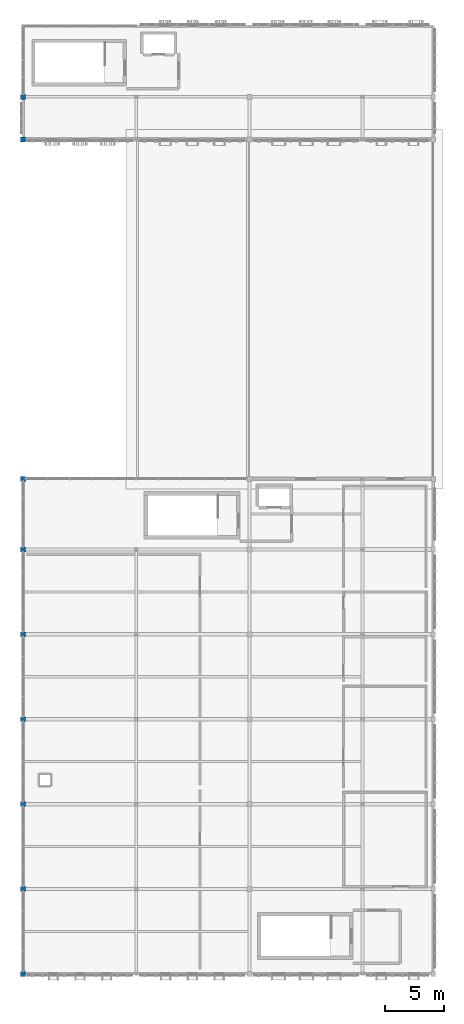
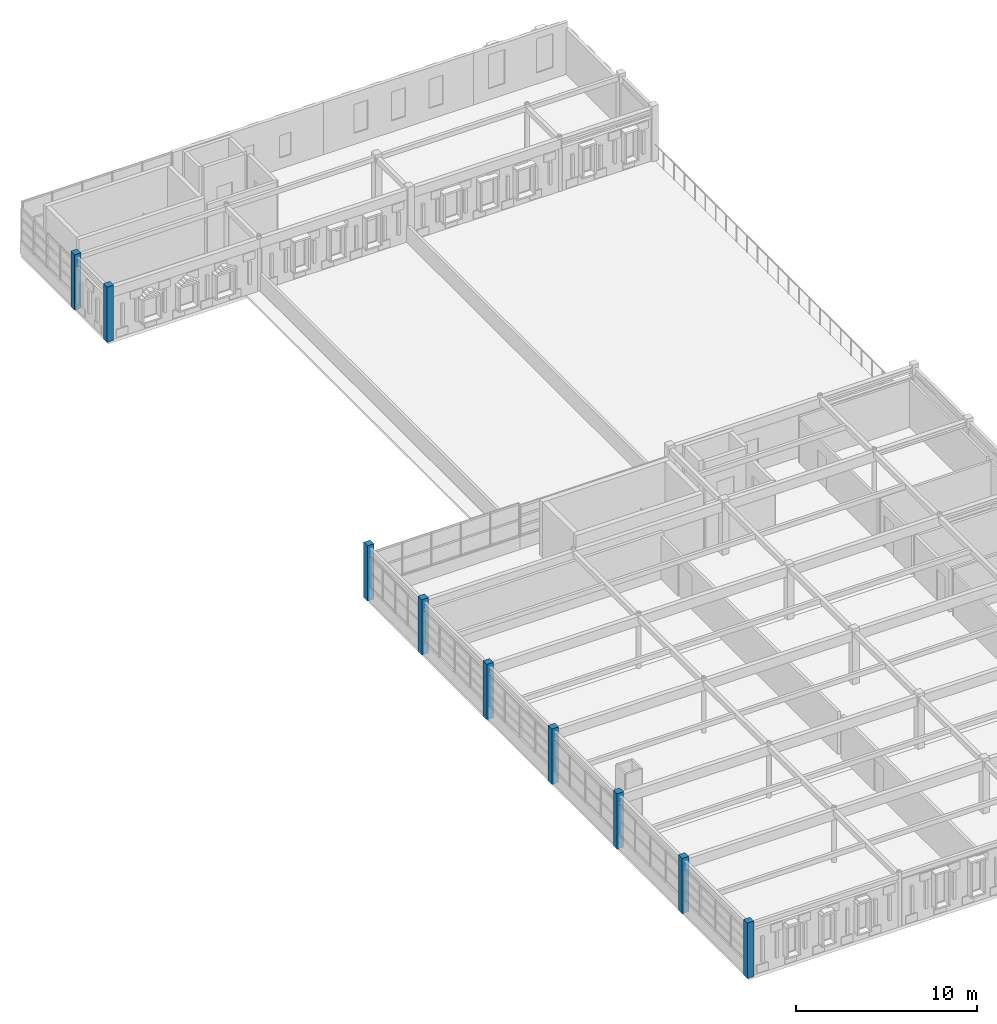
# One storey, part 1 of 25: 9 columns.
"""IFC4 building model written with IfcOpenShell, lengths in metres."""

from ifc_helpers import new_model, si_unit, direction, frame, origin, origin_2d, place, context, subcontext, project, spatial, rectangle, extrude, material, material_profile, profile_set, type_object, element, save


model = new_model("IFC4")

# Units and contexts
model_context = context("Model", 3, precision=1e-05, world=origin(), true_north=direction((0.0, 1.0)))
body_context = subcontext(model_context, "Body", "Model", "MODEL_VIEW")
ifc_project = project(units=[si_unit("LENGTHUNIT", "METRE"), si_unit("AREAUNIT", "SQUARE_METRE"), si_unit("VOLUMEUNIT", "CUBIC_METRE"), si_unit("PLANEANGLEUNIT", "RADIAN"), si_unit("MASSUNIT", "GRAM", prefix="KILO")], contexts=[model_context])

# Site, building, storey
site_placement = place(None, origin())
site = spatial("IfcSite", under=ifc_project, at=site_placement, CompositionType="ELEMENT")
building_placement = place(site_placement, origin())
building = spatial("IfcBuilding", under=site, at=building_placement, Name="Nzembalo Square Collegiate School", CompositionType="ELEMENT")
storey_placement = place(building_placement, frame((0.0, 0.0, 21.080078125)))
storey = spatial("IfcBuildingStorey", under=building, at=storey_placement, Name="L05", CompositionType="ELEMENT", Elevation=21.080078125)

# Columns
ifc_material = material(Name="Glulam GL28h", Category="wood")
ifc_material_profile = material_profile(ifc_material, rectangle(XDim=0.419921875, YDim=0.419921875, at=origin_2d()), Name="GL28h 420x420")
ifc_profile_set = profile_set([ifc_material_profile], Name="Glulam GL28h")
column_type = type_object("IfcColumnType", Name="C06", PredefinedType="COLUMN", material=ifc_profile_set)
for number, where, z_axis, x_axis, name in (
    (1, (130.800048828125, 8.39990234375, 0.0), (0.0, 0.0, 1.0), (1.0, 0.0, 0.0), "Column C06 L05 20/B"),
    (2, (130.800048828125, 15.60009765625, 0.0), (0.0, 0.0, 1.0), (1.0, 0.0, 0.0), "Column C06 L05 20/C"),
    (3, (130.800048828125, 22.800048828125, 0.0), (0.0, 0.0, 1.0), (1.0, 0.0, 0.0), "Column C06 L05 20/D"),
    (4, (130.800048828125, 30.0, 0.0), (0.0, 0.0, 1.0), (1.0, 0.0, 0.0), "Column C06 L05 20/E"),
    (5, (130.800048828125, 37.199951171875, 0.0), (0.0, 0.0, 1.0), (1.0, 0.0, 0.0), "Column C06 L05 20/F"),
    (6, (130.800048828125, 44.39990234375, 0.0), (0.0, 0.0, 1.0), (1.0, 0.0, 0.0), "Column C06 L05 20/G"),
    (7, (130.800048828125, 50.39990234375, 0.0), (0.0, 0.0, 1.0), (1.0, 0.0, 0.0), "Column C06 L05 20/H"),
    (8, (130.800048828125, 79.199951171875, 0.0), (0.0, 0.0, 1.0), (1.0, 0.0, 0.0), "Column C06 L05 20/L"),
    (9, (130.800048828125, 82.800048828125, 0.0), (0.0, 0.0, 1.0), (1.0, 0.0, 0.0), "Column C06 L05 20/M"),
):
    element("IfcColumn", number, at=place(storey_placement, frame(where, z_axis=z_axis, x_axis=x_axis)), inside=storey, type_object=column_type, Name=name, PredefinedType="COLUMN", context=body_context, shape_type="SweptSolid", body=[
        extrude(rectangle(XDim=0.419921875, YDim=0.419921875, at=origin_2d()), origin(), (0.0, 0.0, 1.0), 3.739990234375),
    ])

save(model, "model.ifc")
